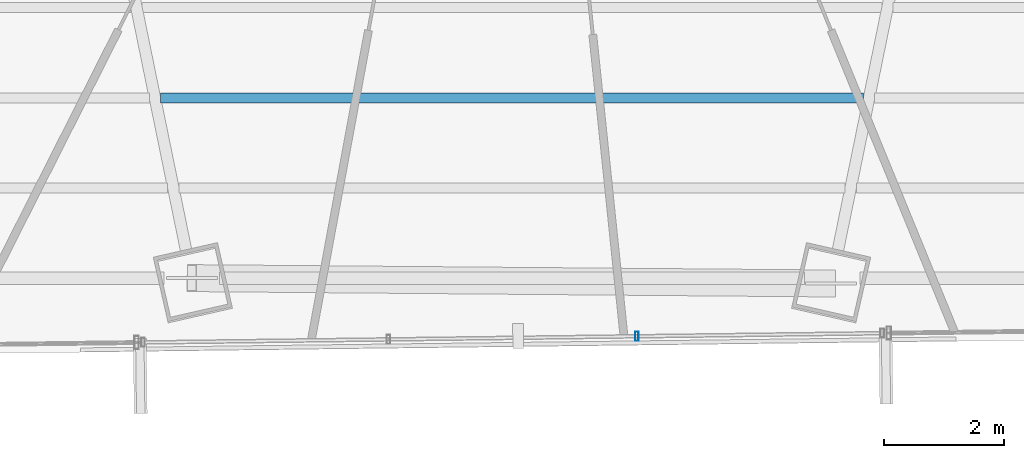
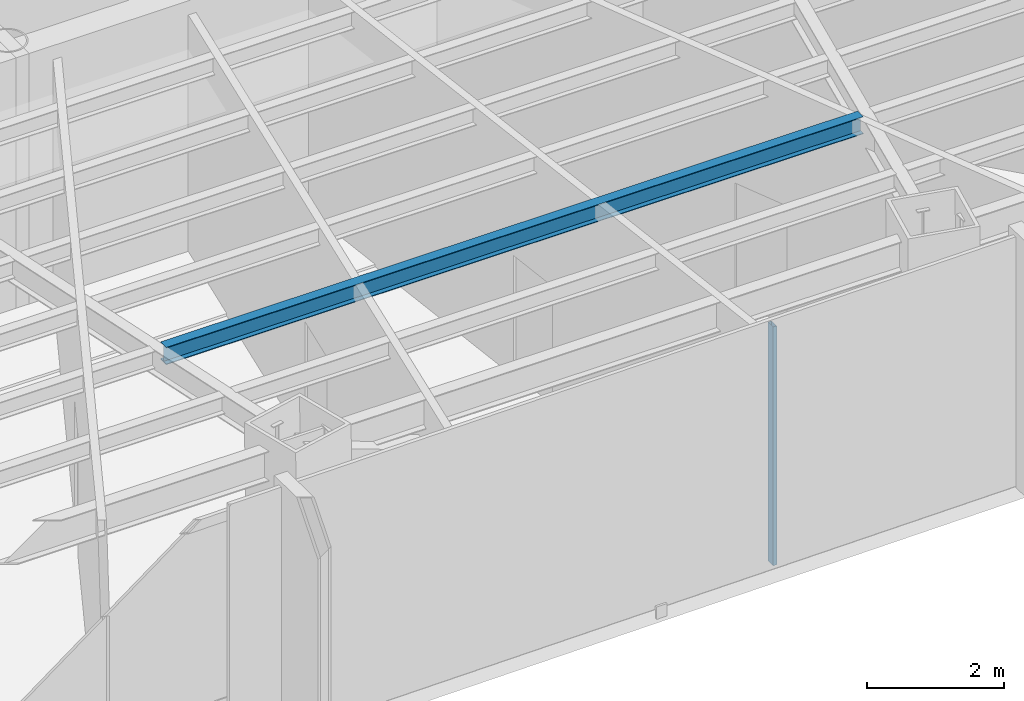
# One storey, part 8 of 37: 1 beam, 1 member, 1 element without a shape of its own.
"""IFC4 building model written with IfcOpenShell, lengths in metres."""

from ifc_helpers import new_model, si_unit, direction, frame, origin, origin_2d, place, context, subcontext, project, spatial, hollow_rectangle, i_section, extrude, source, transform, mapped, material, material_profile, profile_set, type_object, type_shapes, element, aggregate, save


model = new_model("IFC4")

# Units and contexts
model_context = context("Model", 3, precision=1e-05, world=origin(), true_north=direction((0.0, 1.0)))
body_context = subcontext(model_context, "Body", "Model", "MODEL_VIEW")
ifc_project = project(units=[si_unit("LENGTHUNIT", "METRE"), si_unit("AREAUNIT", "SQUARE_METRE"), si_unit("VOLUMEUNIT", "CUBIC_METRE"), si_unit("PLANEANGLEUNIT", "RADIAN"), si_unit("MASSUNIT", "GRAM", prefix="KILO")], contexts=[model_context])

# Site, building, storey
site_placement = place(None, origin())
site = spatial("IfcSite", under=ifc_project, at=site_placement, CompositionType="ELEMENT")
building_placement = place(site_placement, origin())
building = spatial("IfcBuilding", under=site, at=building_placement, Name="Caelisora Broadcast Tower", CompositionType="ELEMENT")
storey_placement = place(building_placement, frame((0.0, 0.0, 127.300048828125)))
storey = spatial("IfcBuildingStorey", under=building, at=storey_placement, Name="L33", CompositionType="ELEMENT", Elevation=127.300048828125)

# Beam
ifc_material_1 = material(Name="Steel Grade 350 (AS/NZS 3679.1)", Category="steel")
ifc_material_profile_1 = material_profile(ifc_material_1, i_section(OverallWidth=0.166015625, OverallDepth=0.30712890625, WebThickness=0.006591796875, FlangeThickness=0.01171875, at=origin_2d()), Name="Steel Grade 350 (AS/NZS 3679.1)")
ifc_profile_set_1 = profile_set([ifc_material_profile_1], Name="Steel Grade 350 (AS/NZS 3679.1)")
beam_type = type_object("IfcBeamType", Name="SB03", PredefinedType="JOIST", material=ifc_profile_set_1)
shared_shape_1 = source(origin(), body_context, "Body", "SweptSolid", [
    extrude(i_section(OverallWidth=0.166015625, OverallDepth=0.30712890625, WebThickness=0.006591796875, FlangeThickness=0.01171875, at=origin_2d()), origin(), (0.0, 0.0, 1.0), 11.73291015625),
])
type_shapes(beam_type, [shared_shape_1])
beam_placement = place(storey_placement, frame((32.133544921875, 9.874267578125, 4.096435546875), z_axis=(1.0, 0.0, 0.0), x_axis=(0.0, 1.0, 0.0)))
element("IfcBeam", 1, at=beam_placement, inside=storey, type_object=beam_type, Name="L33 beam SB03", PredefinedType="JOIST", context=body_context, shape_type="MappedRepresentation", body=[
    mapped(shared_shape_1, transform((0.0, 0.0, 0.0), scale=1.0)),
])

# Curtain wall, member
ifc_material_2 = material(Name="Unitised Aluminium Insulated Shadow-Box Spandrel Curtain Wall", Category="aluminium")
curtain_wall_type = type_object("IfcCurtainWallType", Name="CW-SP2", PredefinedType="NOTDEFINED", material=ifc_material_2)
curtain_wall_placement = place(storey_placement, origin())
curtain_wall = element("IfcCurtainWall", 2, at=curtain_wall_placement, inside=storey, type_object=curtain_wall_type, Name="L33 curtain wall CW-SP2", PredefinedType="NOTDEFINED")
ifc_material_3 = material(Name="Aluminium 6063-T6 Anodised Terracotta Bronze", Category="aluminium")
ifc_material_profile_2 = material_profile(ifc_material_3, hollow_rectangle(XDim=0.06005859375, YDim=0.14990234375, WallThickness=0.00341796875, at=origin_2d()), Name="Aluminium 6063-T6 Anodised Terracotta Bronze")
ifc_profile_set_2 = profile_set([ifc_material_profile_2], Name="Aluminium 6063-T6 Anodised Terracotta Bronze")
member_type = type_object("IfcMemberType", Name="CWM-03", PredefinedType="MULLION", material=ifc_profile_set_2)
shared_shape_2 = source(origin(), body_context, "Body", "SweptSolid", [
    extrude(hollow_rectangle(XDim=0.06005859375, YDim=0.14990234375, WallThickness=0.00341796875, at=origin_2d()), origin(), (0.0, 0.0, 1.0), 4.25),
])
type_shapes(member_type, [shared_shape_2])
member_placement = place(storey_placement, frame((40.08447265625, 5.893310546875, 0.0), z_axis=(0.0, 0.0, 1.0), x_axis=(1.0, 0.0, 0.0)))
member = element("IfcMember", 3, at=member_placement, type_object=member_type, Name="L33-CW-B06 mullion #1", PredefinedType="MULLION", context=body_context, shape_type="MappedRepresentation", body=[
    mapped(shared_shape_2, transform((0.0, 0.0, 0.0), scale=1.0)),
])
aggregate(curtain_wall, [member])

save(model, "model.ifc")
